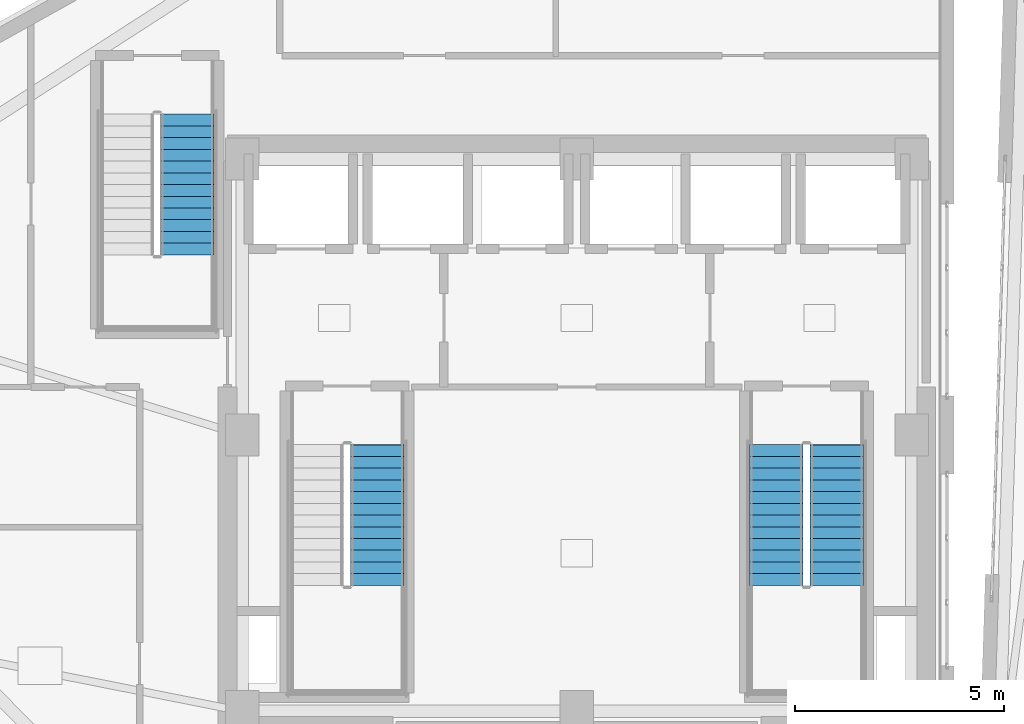
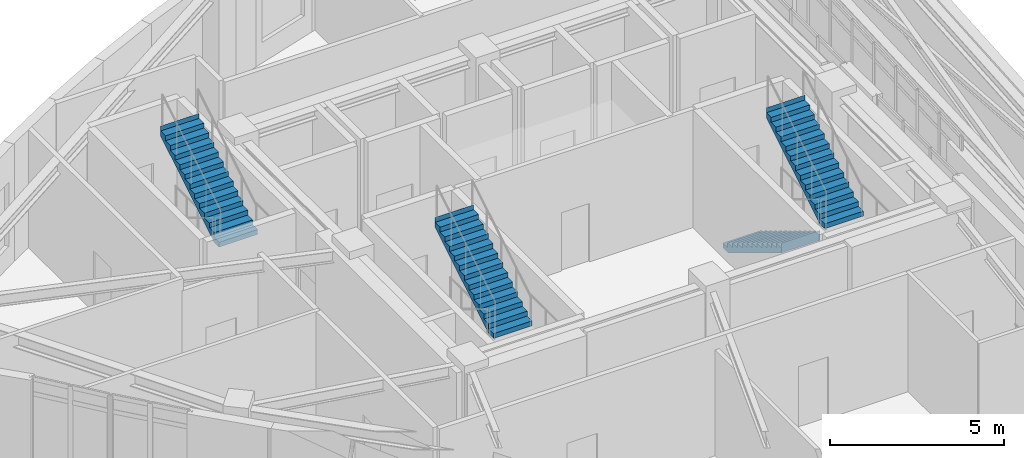
# One storey, part 16 of 19: 4 stair flights, 3 elements without a shape of their own.
"""IFC4 building model written with IfcOpenShell, lengths in metres."""

from ifc_helpers import new_model, si_unit, direction, frame, origin, place, context, subcontext, project, spatial, polyline, outline, extrude, material, type_object, element, aggregate, save


model = new_model("IFC4")

# Units and contexts
model_context = context("Model", 3, precision=1e-05, world=origin(), true_north=direction((0.0, 1.0)))
body_context = subcontext(model_context, "Body", "Model", "MODEL_VIEW")
ifc_project = project(units=[si_unit("LENGTHUNIT", "METRE"), si_unit("AREAUNIT", "SQUARE_METRE"), si_unit("VOLUMEUNIT", "CUBIC_METRE"), si_unit("PLANEANGLEUNIT", "RADIAN"), si_unit("MASSUNIT", "GRAM", prefix="KILO")], contexts=[model_context])

# Site, building, storey
site_placement = place(None, origin())
site = spatial("IfcSite", under=ifc_project, at=site_placement, CompositionType="ELEMENT")
building_placement = place(site_placement, origin())
building = spatial("IfcBuilding", under=site, at=building_placement, Name="Ndelora Gate Hotel", CompositionType="ELEMENT")
storey_placement = place(building_placement, frame((0.0, 0.0, 290.39990234375)))
storey = spatial("IfcBuildingStorey", under=building, at=storey_placement, Name="L72", CompositionType="ELEMENT", Elevation=290.39990234375)

# Stair, stair flight
ifc_material = material(Name="Precast concrete C40/50", Category="concrete")
stair_type = type_object("IfcStairType", Name="STR-DOG-CORE", PredefinedType="HALF_TURN_STAIR", material=ifc_material)
stair_1_placement = place(storey_placement, origin())
stair_1 = element("IfcStair", 1, at=stair_1_placement, inside=storey, type_object=stair_type, Name="L72 Protected Core Exit Stair ST4", PredefinedType="HALF_TURN_STAIR")
stair_flight_type = type_object("IfcStairFlightType", Name="STF-PRECAST", PredefinedType="STRAIGHT", material=ifc_material)
stair_flight_1_placement = place(storey_placement, frame((-4.77001953125, -3.590087890625, 2.2001953125), z_axis=(0.0, 0.0, 1.0), x_axis=(0.0, 1.0, 0.0)))
stair_flight_1 = element("IfcStairFlight", 2, at=stair_flight_1_placement, type_object=stair_flight_type, Name="ST4 flight 2", NumberOfRisers=13, NumberOfTreads=12, PredefinedType="STRAIGHT", RiserHeight=0.169230769, TreadLength=0.28, context=body_context, shape_type="SweptSolid", body=[
    extrude(outline(polyline([(-0.00048828125, 0.0), (-0.00048828125, 0.169189453125), (0.0, 0.169189453125), (0.280029296875, 0.169189453125), (0.280029296875, 0.33837890625), (0.56005859375, 0.33837890625), (0.56005859375, 0.5078125), (0.840087890625, 0.5078125), (0.840087890625, 0.677001953125), (1.1201171875, 0.677001953125), (1.1201171875, 0.84619140625), (1.39990234375, 0.84619140625), (1.39990234375, 1.015380859375), (1.679931640625, 1.015380859375), (1.679931640625, 1.1845703125), (1.9599609375, 1.1845703125), (1.9599609375, 1.353759765625), (2.239990234375, 1.353759765625), (2.239990234375, 1.523193359375), (2.52001953125, 1.523193359375), (2.52001953125, 1.6923828125), (2.800048828125, 1.6923828125), (2.800048828125, 1.861572265625), (3.080078125, 1.861572265625), (3.080078125, 2.03076171875), (3.360107421875, 2.03076171875), (3.360107421875, 2.199951171875), (3.360595703125, 2.199951171875), (3.360595703125, 2.02001953125), (3.360107421875, 1.855712890625), (0.289794921875, 0.0), (-0.00048828125, 0.0)])), frame((0.0, 0.64013671875, 0.0), z_axis=(0.0, -1.0, 0.0), x_axis=(1.0, 0.0, 0.0)), (0.0, 0.0, 1.0), 1.280029296875),
])
aggregate(stair_1, [stair_flight_1])

# Stair, stair flights
stair_2_placement = place(storey_placement, origin())
stair_2 = element("IfcStair", 3, at=stair_2_placement, inside=storey, type_object=stair_type, Name="L72 Protected Core Exit Stair ST5", PredefinedType="HALF_TURN_STAIR")
stair_flight_2_placement = place(storey_placement, frame((4.77001953125, -0.22998046875, 0.0), z_axis=(0.0, 0.0, 1.0), x_axis=(0.0, -1.0, 0.0)))
stair_flight_2 = element("IfcStairFlight", 4, at=stair_flight_2_placement, type_object=stair_flight_type, Name="ST5 flight 1", NumberOfRisers=13, NumberOfTreads=12, PredefinedType="STRAIGHT", RiserHeight=0.169230769, TreadLength=0.28, context=body_context, shape_type="SweptSolid", body=[
    extrude(outline(polyline([(-0.00048828125, 0.0), (-0.00048828125, 0.169189453125), (0.0, 0.169189453125), (0.280029296875, 0.169189453125), (0.280029296875, 0.33837890625), (0.56005859375, 0.33837890625), (0.56005859375, 0.5078125), (0.840087890625, 0.5078125), (0.840087890625, 0.677001953125), (1.1201171875, 0.677001953125), (1.1201171875, 0.84619140625), (1.39990234375, 0.84619140625), (1.39990234375, 1.015380859375), (1.679931640625, 1.015380859375), (1.679931640625, 1.1845703125), (1.9599609375, 1.1845703125), (1.9599609375, 1.353759765625), (2.239990234375, 1.353759765625), (2.239990234375, 1.523193359375), (2.52001953125, 1.523193359375), (2.52001953125, 1.6923828125), (2.800048828125, 1.6923828125), (2.800048828125, 1.861572265625), (3.080078125, 1.861572265625), (3.080078125, 2.03076171875), (3.360107421875, 2.03076171875), (3.360107421875, 2.199951171875), (3.360595703125, 2.199951171875), (3.360595703125, 2.02001953125), (3.360107421875, 1.855712890625), (0.289794921875, 0.0), (-0.00048828125, 0.0)])), frame((0.0, 0.64013671875, 0.0), z_axis=(0.0, -1.0, 0.0), x_axis=(1.0, 0.0, 0.0)), (0.0, 0.0, 1.0), 1.280029296875),
])
stair_flight_3_placement = place(storey_placement, frame((6.2099609375, -3.590087890625, 2.2001953125), z_axis=(0.0, 0.0, 1.0), x_axis=(0.0, 1.0, 0.0)))
stair_flight_3 = element("IfcStairFlight", 5, at=stair_flight_3_placement, type_object=stair_flight_type, Name="ST5 flight 2", NumberOfRisers=13, NumberOfTreads=12, PredefinedType="STRAIGHT", RiserHeight=0.169230769, TreadLength=0.28, context=body_context, shape_type="SweptSolid", body=[
    extrude(outline(polyline([(-0.00048828125, 0.0), (-0.00048828125, 0.169189453125), (0.0, 0.169189453125), (0.280029296875, 0.169189453125), (0.280029296875, 0.33837890625), (0.56005859375, 0.33837890625), (0.56005859375, 0.5078125), (0.840087890625, 0.5078125), (0.840087890625, 0.677001953125), (1.1201171875, 0.677001953125), (1.1201171875, 0.84619140625), (1.39990234375, 0.84619140625), (1.39990234375, 1.015380859375), (1.679931640625, 1.015380859375), (1.679931640625, 1.1845703125), (1.9599609375, 1.1845703125), (1.9599609375, 1.353759765625), (2.239990234375, 1.353759765625), (2.239990234375, 1.523193359375), (2.52001953125, 1.523193359375), (2.52001953125, 1.6923828125), (2.800048828125, 1.6923828125), (2.800048828125, 1.861572265625), (3.080078125, 1.861572265625), (3.080078125, 2.03076171875), (3.360107421875, 2.03076171875), (3.360107421875, 2.199951171875), (3.360595703125, 2.199951171875), (3.360595703125, 2.02001953125), (3.360107421875, 1.855712890625), (0.289794921875, 0.0), (-0.00048828125, 0.0)])), frame((0.0, 0.64013671875, 0.0), z_axis=(0.0, -1.0, 0.0), x_axis=(1.0, 0.0, 0.0)), (0.0, 0.0, 1.0), 1.280029296875),
])
aggregate(stair_2, [stair_flight_2, stair_flight_3])

# Stair, stair flight
stair_3_placement = place(storey_placement, origin())
stair_3 = element("IfcStair", 6, at=stair_3_placement, inside=storey, type_object=stair_type, Name="L72 Crown Observation Exit Stair ST6", PredefinedType="HALF_TURN_STAIR")
stair_flight_4_placement = place(storey_placement, frame((-9.31005859375, 4.31005859375, 2.2001953125), z_axis=(0.0, 0.0, 1.0), x_axis=(0.0, 1.0, 0.0)))
stair_flight_4 = element("IfcStairFlight", 7, at=stair_flight_4_placement, type_object=stair_flight_type, Name="ST6 flight 2", NumberOfRisers=13, NumberOfTreads=12, PredefinedType="STRAIGHT", RiserHeight=0.169230769, TreadLength=0.28, context=body_context, shape_type="SweptSolid", body=[
    extrude(outline(polyline([(-0.00048828125, 0.0), (-0.00048828125, 0.169189453125), (0.0, 0.169189453125), (0.280029296875, 0.169189453125), (0.280029296875, 0.33837890625), (0.56005859375, 0.33837890625), (0.56005859375, 0.5078125), (0.840087890625, 0.5078125), (0.840087890625, 0.677001953125), (1.1201171875, 0.677001953125), (1.1201171875, 0.84619140625), (1.39990234375, 0.84619140625), (1.39990234375, 1.015380859375), (1.679931640625, 1.015380859375), (1.679931640625, 1.1845703125), (1.9599609375, 1.1845703125), (1.9599609375, 1.353759765625), (2.239990234375, 1.353759765625), (2.239990234375, 1.523193359375), (2.52001953125, 1.523193359375), (2.52001953125, 1.6923828125), (2.800048828125, 1.6923828125), (2.800048828125, 1.861572265625), (3.080078125, 1.861572265625), (3.080078125, 2.03076171875), (3.360107421875, 2.03076171875), (3.360107421875, 2.199951171875), (3.360595703125, 2.199951171875), (3.360595703125, 2.02001953125), (3.360107421875, 1.855712890625), (0.289794921875, 0.0), (-0.00048828125, 0.0)])), frame((0.0, 0.64013671875, 0.0), z_axis=(0.0, -1.0, 0.0), x_axis=(1.0, 0.0, 0.0)), (0.0, 0.0, 1.0), 1.280029296875),
])
aggregate(stair_3, [stair_flight_4])

save(model, "model.ifc")
